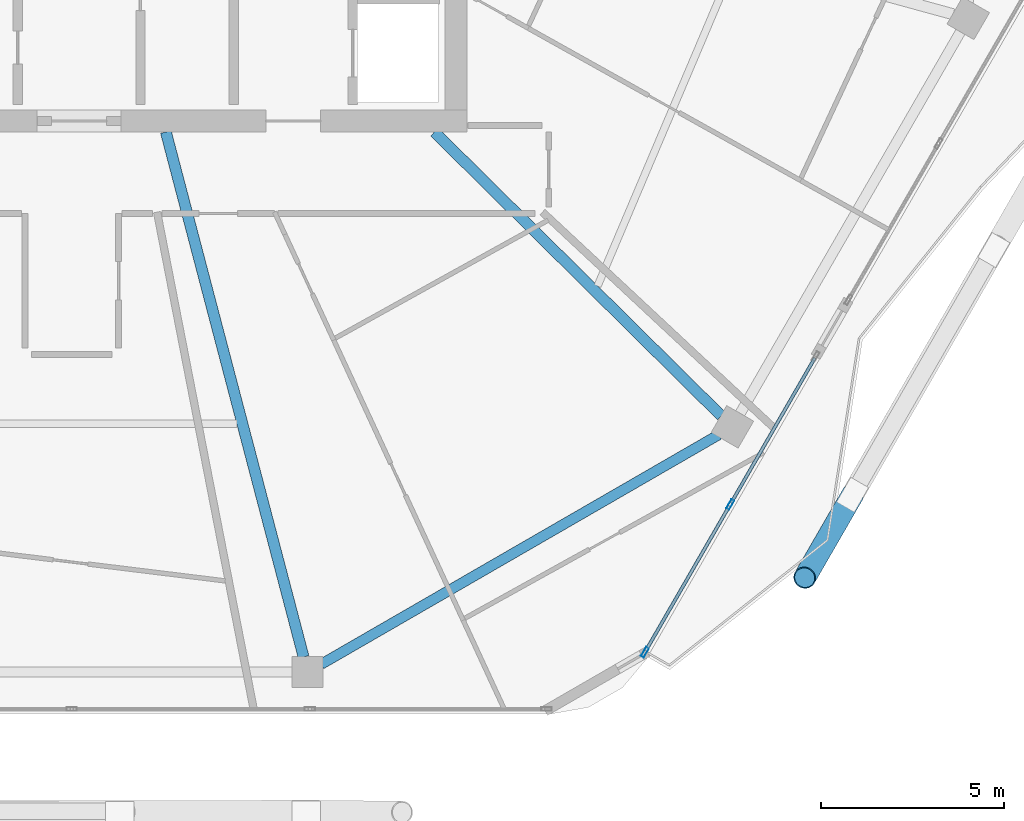
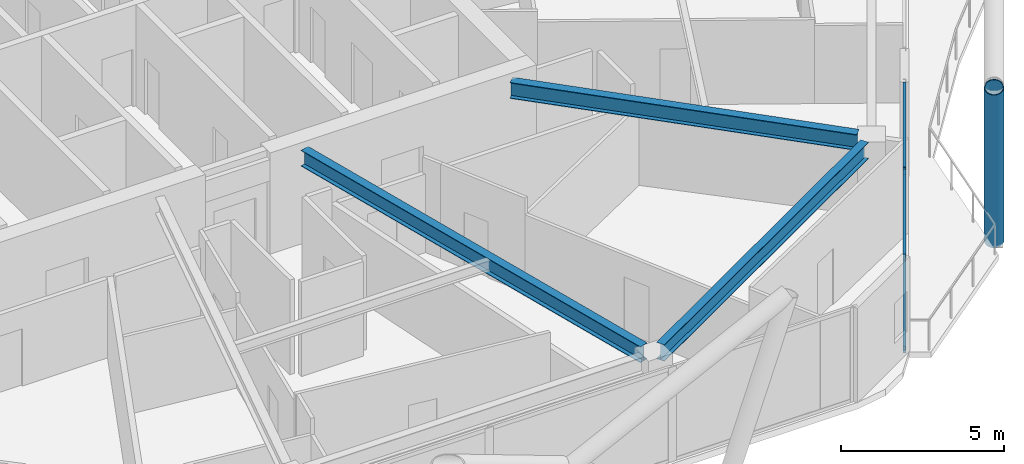
# One storey, part 8 of 29: 7 members, 3 beams, 1 element without a shape of its own.
"""IFC4 building model written with IfcOpenShell, lengths in metres."""

from ifc_helpers import new_model, si_unit, direction, frame, origin, origin_2d, place, context, subcontext, project, spatial, hollow_rectangle, hollow_circle, i_section, extrude, material, material_profile, profile_set, type_object, element, aggregate, save


model = new_model("IFC4")

# Units and contexts
model_context = context("Model", 3, precision=1e-05, world=origin(), true_north=direction((0.0, 1.0)))
body_context = subcontext(model_context, "Body", "Model", "MODEL_VIEW")
ifc_project = project(units=[si_unit("LENGTHUNIT", "METRE"), si_unit("AREAUNIT", "SQUARE_METRE"), si_unit("VOLUMEUNIT", "CUBIC_METRE"), si_unit("PLANEANGLEUNIT", "RADIAN"), si_unit("MASSUNIT", "GRAM", prefix="KILO")], contexts=[model_context])

# Site, building, storey
site_placement = place(None, origin())
site = spatial("IfcSite", under=ifc_project, at=site_placement, CompositionType="ELEMENT")
building_placement = place(site_placement, origin())
building = spatial("IfcBuilding", under=site, at=building_placement, Name="Zuhravey Tower", CompositionType="ELEMENT")
storey_placement = place(building_placement, frame((0.0, 0.0, 269.199951171875)))
storey = spatial("IfcBuildingStorey", under=building, at=storey_placement, Name="L68", CompositionType="ELEMENT", Elevation=269.199951171875)

# Curtain wall, members
ifc_material_1 = material(Name="Thermally broken anodised aluminium", Category="aluminium")
curtain_wall_type = type_object("IfcCurtainWallType", Name="Zone 3-4 High-Rise Curtain Wall CW4", PredefinedType="NOTDEFINED", material=ifc_material_1)
curtain_wall_placement = place(storey_placement, origin())
curtain_wall = element("IfcCurtainWall", 1, at=curtain_wall_placement, inside=storey, type_object=curtain_wall_type, Name="L68 CW4 CW-L68-F6-2", PredefinedType="NOTDEFINED")
ifc_material_2 = material(Name="Anodised aluminium", Category="aluminium")
ifc_material_profile_1 = material_profile(ifc_material_2, hollow_rectangle(XDim=0.090087890625, YDim=0.284912109375, WallThickness=0.0048828125, at=origin_2d()), Name="ALU-RHS-90x285x5")
ifc_profile_set_1 = profile_set([ifc_material_profile_1], Name="Anodised aluminium")
member_type_1 = type_object("IfcMemberType", Name="Curtain-Wall Mullion 90x180", PredefinedType="MULLION", material=ifc_profile_set_1)
member_1_placement = place(storey_placement, frame((53.986083984375, 12.025634765625, 0.0), z_axis=(0.0, 0.0, 1.0), x_axis=(0.866023917511, -0.500002574293, 0.0)))
member_1 = element("IfcMember", 2, at=member_1_placement, type_object=member_type_1, Name="CW4 mullion 2", PredefinedType="MULLION", context=body_context, shape_type="SweptSolid", body=[
    extrude(hollow_rectangle(XDim=0.090087890625, YDim=0.284912109375, WallThickness=0.0048828125, at=origin_2d()), origin(), (0.0, 0.0, 1.0), 3.550048828125),
])
member_2_placement = place(storey_placement, frame((51.65478515625, 7.98779296875, 0.0), z_axis=(0.0, 0.0, 1.0), x_axis=(0.866023917511, -0.500002574293, 0.0)))
member_2 = element("IfcMember", 3, at=member_2_placement, type_object=member_type_1, Name="CW4 mullion 3", PredefinedType="MULLION", context=body_context, shape_type="SweptSolid", body=[
    extrude(hollow_rectangle(XDim=0.090087890625, YDim=0.284912109375, WallThickness=0.0048828125, at=origin_2d()), origin(), (0.0, 0.0, 1.0), 3.550048828125),
])
ifc_material_profile_2 = material_profile(ifc_material_2, hollow_rectangle(XDim=0.090087890625, YDim=0.14990234375, WallThickness=0.0048828125, at=origin_2d()), Name="ALU-RHS-90x150x5")
ifc_profile_set_2 = profile_set([ifc_material_profile_2], Name="Anodised aluminium")
member_type_2 = type_object("IfcMemberType", Name="Curtain-Wall Transom 90x150", PredefinedType="USERDEFINED", material=ifc_profile_set_2)
member_3_placement = place(storey_placement, frame((56.294677734375, 16.0244140625, 0.045166015625), z_axis=(-0.499975117185, -0.866039769408, 0.0), x_axis=(0.866039769408, -0.499975117185, 0.0)))
member_3 = element("IfcMember", 4, at=member_3_placement, type_object=member_type_2, Name="CW4 transom 1.1", ObjectType="TRANSOM", PredefinedType="USERDEFINED", context=body_context, shape_type="SweptSolid", body=[
    extrude(hollow_rectangle(XDim=0.090087890625, YDim=0.14990234375, WallThickness=0.0048828125, at=origin_2d()), origin(), (0.0, 0.0, 1.0), 4.572509765625),
])
member_4_placement = place(storey_placement, frame((56.294677734375, 16.0244140625, 3.505126953125), z_axis=(-0.499975117185, -0.866039769408, 0.0), x_axis=(0.866039769408, -0.499975117185, 0.0)))
member_4 = element("IfcMember", 5, at=member_4_placement, type_object=member_type_2, Name="CW4 transom 1.2", ObjectType="TRANSOM", PredefinedType="USERDEFINED", context=body_context, shape_type="SweptSolid", body=[
    extrude(hollow_rectangle(XDim=0.090087890625, YDim=0.14990234375, WallThickness=0.0048828125, at=origin_2d()), origin(), (0.0, 0.0, 1.0), 4.572509765625),
])
member_5_placement = place(storey_placement, frame((53.963623046875, 11.986572265625, 0.045166015625), z_axis=(-0.499998237297, -0.866026421479, 0.0), x_axis=(0.866026421479, -0.499998237297, 0.0)))
member_5 = element("IfcMember", 6, at=member_5_placement, type_object=member_type_2, Name="CW4 transom 2.1", ObjectType="TRANSOM", PredefinedType="USERDEFINED", context=body_context, shape_type="SweptSolid", body=[
    extrude(hollow_rectangle(XDim=0.090087890625, YDim=0.14990234375, WallThickness=0.0048828125, at=origin_2d()), origin(), (0.0, 0.0, 1.0), 4.572265625),
])
member_6_placement = place(storey_placement, frame((53.963623046875, 11.986572265625, 3.505126953125), z_axis=(-0.499998237297, -0.866026421479, 0.0), x_axis=(0.866026421479, -0.499998237297, 0.0)))
member_6 = element("IfcMember", 7, at=member_6_placement, type_object=member_type_2, Name="CW4 transom 2.2", ObjectType="TRANSOM", PredefinedType="USERDEFINED", context=body_context, shape_type="SweptSolid", body=[
    extrude(hollow_rectangle(XDim=0.090087890625, YDim=0.14990234375, WallThickness=0.0048828125, at=origin_2d()), origin(), (0.0, 0.0, 1.0), 4.572265625),
])
aggregate(curtain_wall, [member_1, member_2, member_3, member_4, member_5, member_6])

# Member
ifc_material_3 = material(Name="Steel SM355", Category="steel")
ifc_material_profile_3 = material_profile(ifc_material_3, hollow_circle(Radius=0.3046875, WallThickness=0.028076171875, at=origin_2d()), Name="CHS-609.6x28")
ifc_profile_set_3 = profile_set([ifc_material_profile_3], Name="Steel SM355")
member_type_3 = type_object("IfcMemberType", Name="Exoskeleton Zone 3 Diagrid CHS610x28", PredefinedType="BRACE", material=ifc_profile_set_3)
member_7_placement = place(storey_placement, frame((57.322021484375, 12.28369140625, -0.446044921875), z_axis=(-0.163024515217, -0.282386653254, 0.94534691278), x_axis=(0.866040668696, -0.499973559465, 0.0)))
element("IfcMember", 8, at=member_7_placement, inside=storey, type_object=member_type_3, Name="L68 Face 6 Diagrid Brace 1", PredefinedType="BRACE", context=body_context, shape_type="SweptSolid", body=[
    extrude(hollow_circle(Radius=0.3046875, WallThickness=0.028076171875, at=origin_2d()), origin(), (0.0, 0.0, 1.0), 8.00146484375),
])

# Beams
ifc_material_profile_4 = material_profile(ifc_material_3, i_section(OverallWidth=0.280029296875, OverallDepth=0.6201171875, WebThickness=0.011962890625, FlangeThickness=0.02001953125, at=origin_2d()), Name="H-620x280x12x20")
ifc_profile_set_4 = profile_set([ifc_material_profile_4], Name="Steel SM355")
beam_type_1 = type_object("IfcBeamType", Name="Perimeter Ring Beam H620x280", PredefinedType="BEAM", material=ifc_profile_set_4)
beam_1_placement = place(storey_placement, frame((42.8115234375, 7.660400390625, 3.239990234375), z_axis=(0.866018312875, 0.500012281615, 0.0), x_axis=(-0.500012281615, 0.866018312875, 0.0)))
element("IfcBeam", 9, at=beam_1_placement, inside=storey, type_object=beam_type_1, Name="L68 PB3 BM-L68-PB-10", PredefinedType="BEAM", context=body_context, shape_type="SweptSolid", body=[
    extrude(i_section(OverallWidth=0.280029296875, OverallDepth=0.6201171875, WebThickness=0.011962890625, FlangeThickness=0.02001953125, at=origin_2d()), origin(), (0.0, 0.0, 1.0), 12.541748046875),
])
ifc_material_profile_5 = material_profile(ifc_material_3, i_section(OverallWidth=0.300048828125, OverallDepth=0.60009765625, WebThickness=0.011962890625, FlangeThickness=0.02001953125, at=origin_2d()), Name="H-600x300x12x20")
ifc_profile_set_5 = profile_set([ifc_material_profile_5], Name="Steel SM355")
beam_type_2 = type_object("IfcBeamType", Name="Radial Primary Girder H600x300", PredefinedType="BEAM", material=ifc_profile_set_5)
beam_2_placement = place(storey_placement, frame((38.571533203125, 22.197021484375, 3.25), z_axis=(0.25373188956, -0.967274587809, 0.0), x_axis=(0.967274587809, 0.25373188956, 0.0)))
element("IfcBeam", 10, at=beam_2_placement, inside=storey, type_object=beam_type_2, Name="L68 RG3 BM-L68-RAD-10", PredefinedType="BEAM", context=body_context, shape_type="SweptSolid", body=[
    extrude(i_section(OverallWidth=0.300048828125, OverallDepth=0.60009765625, WebThickness=0.011962890625, FlangeThickness=0.02001953125, at=origin_2d()), origin(), (0.0, 0.0, 1.0), 14.82177734375),
])
beam_3_placement = place(storey_placement, frame((45.90673828125, 22.197021484375, 3.25), z_axis=(0.710808169267, -0.70338591577, 0.0), x_axis=(0.70338591577, 0.710808169267, 0.0)))
element("IfcBeam", 11, at=beam_3_placement, inside=storey, type_object=beam_type_2, Name="L68 RG3 BM-L68-RAD-11", PredefinedType="BEAM", context=body_context, shape_type="SweptSolid", body=[
    extrude(i_section(OverallWidth=0.300048828125, OverallDepth=0.60009765625, WebThickness=0.011962890625, FlangeThickness=0.02001953125, at=origin_2d()), origin(), (0.0, 0.0, 1.0), 11.019287109375),
])

save(model, "model.ifc")
